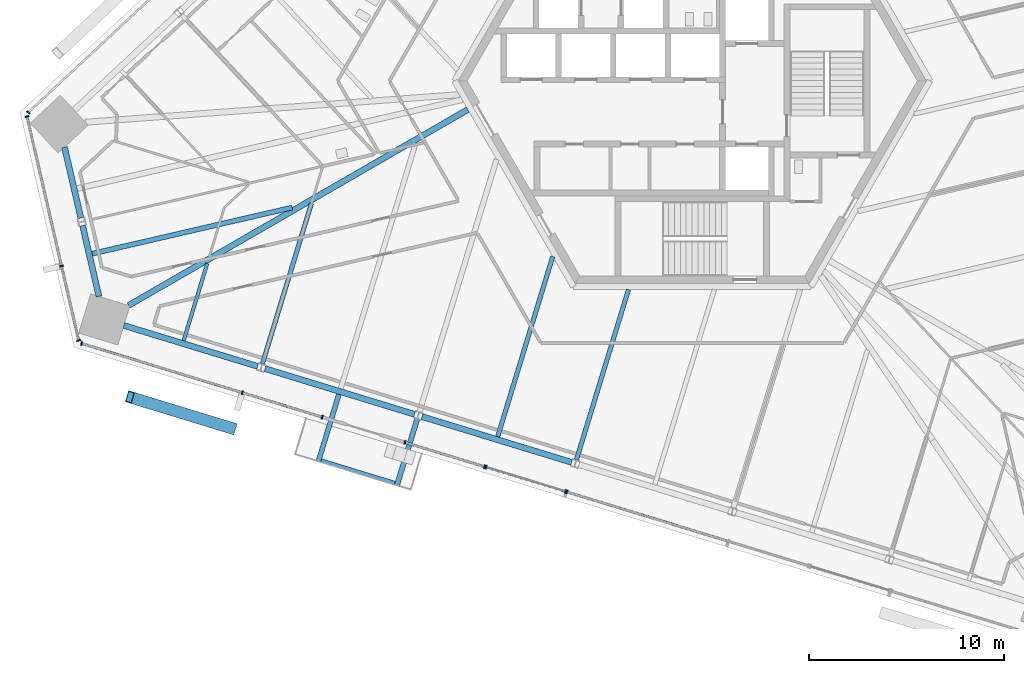
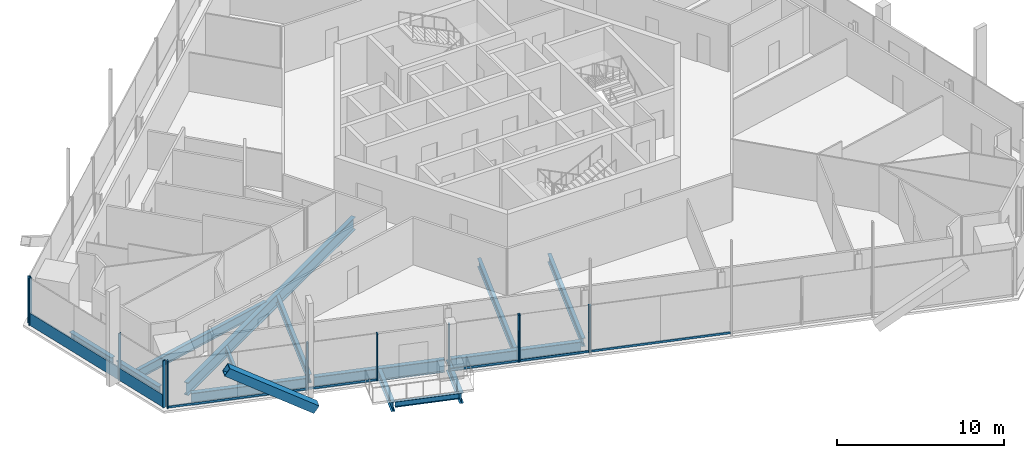
# One storey, part 4 of 24: 20 members, 14 beams, 6 elements without a shape of their own.
"""IFC4 building model written with IfcOpenShell, lengths in metres."""

from ifc_helpers import new_model, si_unit, direction, frame, origin, origin_2d, place, context, subcontext, project, spatial, rectangle, hollow_rectangle, i_section, extrude, source, transform, mapped, material, material_profile, profile_set, type_object, element, aggregate, save


model = new_model("IFC4")

# Units and contexts
model_context = context("Model", 3, precision=1e-05, world=origin(), true_north=direction((0.0, 1.0)))
body_context = subcontext(model_context, "Body", "Model", "MODEL_VIEW")
ifc_project = project(units=[si_unit("LENGTHUNIT", "METRE"), si_unit("AREAUNIT", "SQUARE_METRE"), si_unit("VOLUMEUNIT", "CUBIC_METRE"), si_unit("PLANEANGLEUNIT", "RADIAN"), si_unit("MASSUNIT", "GRAM", prefix="KILO")], contexts=[model_context])

# Site, building, storey
site_placement = place(None, origin())
site = spatial("IfcSite", under=ifc_project, at=site_placement, CompositionType="ELEMENT")
building_placement = place(site_placement, origin())
building = spatial("IfcBuilding", under=site, at=building_placement, Name="Triune Harvest Tower", CompositionType="ELEMENT")
storey_placement = place(building_placement, frame((0.0, 0.0, 127.10009765625)))
storey = spatial("IfcBuildingStorey", under=building, at=storey_placement, Name="L32", CompositionType="ELEMENT", Elevation=127.10009765625)

# Beams
ifc_material_1 = material(Name="Steel ASTM A992 Gr 50", Category="steel")
ifc_material_profile_1 = material_profile(ifc_material_1, i_section(OverallWidth=0.3046875, OverallDepth=0.914306640625, WebThickness=0.0166015625, FlangeThickness=0.02587890625, at=origin_2d()), Name="W36x160")
ifc_profile_set_1 = profile_set([ifc_material_profile_1], Name="Steel ASTM A992 Gr 50")
beam_type_1 = type_object("IfcBeamType", Name="SB-1 Spandrel beam W36x160", PredefinedType="SPANDREL", material=ifc_profile_set_1)
shared_shape_1 = source(origin(), body_context, "Body", "SweptSolid", [
    extrude(i_section(OverallWidth=0.3046875, OverallDepth=0.914306640625, WebThickness=0.0166015625, FlangeThickness=0.02587890625, at=origin_2d()), origin(), (0.0, 0.0, 1.0), 8.018310546875),
])
beam_1_placement = place(storey_placement, frame((-21.8994140625, -14.747314453125, -0.6171875), z_axis=(0.956308069579, -0.292360866152, 0.0), x_axis=(0.292360866152, 0.956308069579, 0.0)))
element("IfcBeam", 1, at=beam_1_placement, inside=storey, type_object=beam_type_1, Name="beam/L32/SB18", PredefinedType="SPANDREL", context=body_context, shape_type="MappedRepresentation", body=[
    mapped(shared_shape_1, transform((0.0, 0.0, 0.0), scale=1.0)),
])
shared_shape_2 = source(origin(), body_context, "Body", "SweptSolid", [
    extrude(i_section(OverallWidth=0.3046875, OverallDepth=0.914306640625, WebThickness=0.0166015625, FlangeThickness=0.02587890625, at=origin_2d()), origin(), (0.0, 0.0, 1.0), 8.01806640625),
])
beam_2_placement = place(storey_placement, frame((-13.8525390625, -17.207275390625, -0.6171875), z_axis=(0.956305466934, -0.292369379231, 0.0), x_axis=(0.292369379231, 0.956305466934, 0.0)))
element("IfcBeam", 2, at=beam_2_placement, inside=storey, type_object=beam_type_1, Name="beam/L32/SB19", PredefinedType="SPANDREL", context=body_context, shape_type="MappedRepresentation", body=[
    mapped(shared_shape_2, transform((0.0, 0.0, 0.0), scale=1.0)),
])
shared_shape_3 = source(origin(), body_context, "Body", "SweptSolid", [
    extrude(i_section(OverallWidth=0.3046875, OverallDepth=0.914306640625, WebThickness=0.0166015625, FlangeThickness=0.02587890625, at=origin_2d()), origin(), (0.0, 0.0, 1.0), 7.16650390625),
])
beam_3_placement = place(storey_placement, frame((-29.131591796875, -12.5361328125, -0.6171875), z_axis=(0.956306336732, -0.292366534211, 0.0), x_axis=(0.292366534211, 0.956306336732, 0.0)))
element("IfcBeam", 3, at=beam_3_placement, inside=storey, type_object=beam_type_1, Name="beam/L32/SB17", PredefinedType="SPANDREL", context=body_context, shape_type="MappedRepresentation", body=[
    mapped(shared_shape_3, transform((0.0, 0.0, 0.0), scale=1.0)),
])
shared_shape_4 = source(origin(), body_context, "Body", "SweptSolid", [
    extrude(i_section(OverallWidth=0.3046875, OverallDepth=0.914306640625, WebThickness=0.0166015625, FlangeThickness=0.02587890625, at=origin_2d()), origin(), (0.0, 0.0, 1.0), 3.72607421875),
])
for number, where, z_axis, x_axis, name in (
    (4, (-32.173828125, -3.400390625, -0.6171875), (0.224936070713, -0.974373523908, 0.0), (0.974373523908, 0.224936070713, 0.0), "beam/L32/SB15"),
    (5, (-31.24658203125, -7.4169921875, -0.6171875), (0.224998275907, -0.974359161623, 0.0), (0.974359161623, 0.224998275907, 0.0), "beam/L32/SB16"),
):
    element("IfcBeam", number, at=place(storey_placement, frame(where, z_axis=z_axis, x_axis=x_axis)), inside=storey, type_object=beam_type_1, Name=name, PredefinedType="SPANDREL", context=body_context, shape_type="MappedRepresentation", body=[
        mapped(shared_shape_4, transform((0.0, 0.0, 0.0), scale=1.0)),
    ])
ifc_material_2 = material(Name="Steel ASTM A992 Gr 50", Category="steel")
ifc_material_profile_2 = material_profile(ifc_material_2, i_section(OverallWidth=0.307373046875, OverallDepth=0.922119140625, WebThickness=0.018310546875, FlangeThickness=0.030029296875, at=origin_2d()), Name="W36x182")
ifc_profile_set_2 = profile_set([ifc_material_profile_2], Name="Steel ASTM A992 Gr 50")
beam_type_2 = type_object("IfcBeamType", Name="HG-2 Hip girder W36x182", PredefinedType="BEAM", material=ifc_profile_set_2)
shared_shape_5 = source(origin(), body_context, "Body", "SweptSolid", [
    extrude(i_section(OverallWidth=0.307373046875, OverallDepth=0.922119140625, WebThickness=0.018310546875, FlangeThickness=0.030029296875, at=origin_2d()), origin(), (0.0, 0.0, 1.0), 20.080078125),
])
beam_4_placement = place(storey_placement, frame((-28.892333984375, -11.51123046875, -0.62109375), z_axis=(0.866025837197, 0.499999249307, 0.0), x_axis=(-0.499999249307, 0.866025837197, 0.0)))
element("IfcBeam", 6, at=beam_4_placement, inside=storey, type_object=beam_type_2, Name="beam/L32/HG6", PredefinedType="BEAM", context=body_context, shape_type="MappedRepresentation", body=[
    mapped(shared_shape_5, transform((0.0, 0.0, 0.0), scale=1.0)),
])
ifc_material_3 = material(Name="Steel ASTM A992 Gr 50", Category="steel")
ifc_material_profile_3 = material_profile(ifc_material_3, i_section(OverallWidth=0.22900390625, OverallDepth=0.612060546875, WebThickness=0.011962890625, FlangeThickness=0.01953125, at=origin_2d()), Name="W24x84")
ifc_profile_set_3 = profile_set([ifc_material_profile_3], Name="Steel ASTM A992 Gr 50")
beam_type_3 = type_object("IfcBeamType", Name="JT-3 Floor joist W24x84", PredefinedType="JOIST", material=ifc_profile_set_3)
shared_shape_6 = source(origin(), body_context, "Body", "SweptSolid", [
    extrude(i_section(OverallWidth=0.22900390625, OverallDepth=0.612060546875, WebThickness=0.011962890625, FlangeThickness=0.01953125, at=origin_2d()), origin(), (0.0, 0.0, 1.0), 9.129150390625),
])
beam_5_placement = place(storey_placement, frame((-5.939453125, -19.42724609375, -0.46630859375), z_axis=(0.292356457167, 0.956309417476, 0.0), x_axis=(-0.956309417476, 0.292356457167, 0.0)))
element("IfcBeam", 7, at=beam_5_placement, inside=storey, type_object=beam_type_3, Name="beam/L32/JT32", PredefinedType="JOIST", context=body_context, shape_type="MappedRepresentation", body=[
    mapped(shared_shape_6, transform((0.0, 0.0, 0.0), scale=1.0)),
])
ifc_material_4 = material(Name="Steel ASTM A992 Gr 50", Category="steel")
ifc_material_profile_4 = material_profile(ifc_material_4, i_section(OverallWidth=0.180908203125, OverallDepth=0.41650390625, WebThickness=0.010986328125, FlangeThickness=0.01806640625, at=origin_2d()), Name="W16x57")
ifc_profile_set_4 = profile_set([ifc_material_profile_4], Name="Steel ASTM A992 Gr 50")
beam_type_4 = type_object("IfcBeamType", Name="JT-1 Floor joist W16x57", PredefinedType="JOIST", material=ifc_profile_set_4)
shared_shape_7 = source(origin(), body_context, "Body", "SweptSolid", [
    extrude(i_section(OverallWidth=0.180908203125, OverallDepth=0.41650390625, WebThickness=0.010986328125, FlangeThickness=0.01806640625, at=origin_2d()), origin(), (0.0, 0.0, 1.0), 4.134033203125),
])
beam_6_placement = place(storey_placement, frame((-26.067626953125, -13.3134765625, -0.368408203125), z_axis=(0.29238807321, 0.956299751461, 0.0), x_axis=(-0.956299751461, 0.29238807321, 0.0)))
element("IfcBeam", 8, at=beam_6_placement, inside=storey, type_object=beam_type_4, Name="beam/L32/JT27", PredefinedType="JOIST", context=body_context, shape_type="MappedRepresentation", body=[
    mapped(shared_shape_7, transform((0.0, 0.0, 0.0), scale=1.0)),
])
shared_shape_8 = source(origin(), body_context, "Body", "SweptSolid", [
    extrude(i_section(OverallWidth=0.22900390625, OverallDepth=0.612060546875, WebThickness=0.011962890625, FlangeThickness=0.01953125, at=origin_2d()), origin(), (0.0, 0.0, 1.0), 8.607666015625),
])
beam_7_placement = place(storey_placement, frame((-22.033203125, -14.507080078125, -0.46630859375), z_axis=(0.29237129862, 0.956304880121, 0.0), x_axis=(-0.956304880121, 0.29237129862, 0.0)))
element("IfcBeam", 9, at=beam_7_placement, inside=storey, type_object=beam_type_3, Name="beam/L32/JT28", PredefinedType="JOIST", context=body_context, shape_type="MappedRepresentation", body=[
    mapped(shared_shape_8, transform((0.0, 0.0, 0.0), scale=1.0)),
])
shared_shape_9 = source(origin(), body_context, "Body", "SweptSolid", [
    extrude(i_section(OverallWidth=0.22900390625, OverallDepth=0.612060546875, WebThickness=0.011962890625, FlangeThickness=0.01953125, at=origin_2d()), origin(), (0.0, 0.0, 1.0), 9.64990234375),
])
beam_8_placement = place(storey_placement, frame((-9.97412109375, -18.233642578125, -0.46630859375), z_axis=(0.292387575984, 0.956299903488, 0.0), x_axis=(-0.956299903488, 0.292387575984, 0.0)))
element("IfcBeam", 10, at=beam_8_placement, inside=storey, type_object=beam_type_3, Name="beam/L32/JT31", PredefinedType="JOIST", context=body_context, shape_type="MappedRepresentation", body=[
    mapped(shared_shape_9, transform((0.0, 0.0, 0.0), scale=1.0)),
])
ifc_material_5 = material(Name="Steel ASTM A992 Gr 50", Category="steel")
ifc_material_profile_5 = material_profile(ifc_material_5, i_section(OverallWidth=0.253662109375, OverallDepth=0.683349609375, WebThickness=0.012451171875, FlangeThickness=0.01904296875, at=origin_2d()), Name="W27x94")
ifc_profile_set_5 = profile_set([ifc_material_profile_5], Name="Steel ASTM A992 Gr 50")
beam_type_5 = type_object("IfcBeamType", Name="JT-4 Floor joist W27x94", PredefinedType="JOIST", material=ifc_profile_set_5)
shared_shape_10 = source(origin(), body_context, "Body", "SweptSolid", [
    extrude(i_section(OverallWidth=0.253662109375, OverallDepth=0.683349609375, WebThickness=0.012451171875, FlangeThickness=0.01904296875, at=origin_2d()), origin(), (0.0, 0.0, 1.0), 10.52294921875),
])
beam_9_placement = place(storey_placement, frame((-30.75732421875, -8.858154296875, -0.501708984375), z_axis=(0.974368902387, 0.224956089186, 0.0), x_axis=(-0.224956089186, 0.974368902387, 0.0)))
element("IfcBeam", 11, at=beam_9_placement, inside=storey, type_object=beam_type_5, Name="beam/L32/JT26", PredefinedType="JOIST", context=body_context, shape_type="MappedRepresentation", body=[
    mapped(shared_shape_10, transform((0.0, 0.0, 0.0), scale=1.0)),
])

# Member
ifc_material_6 = material(Name="Steel ASTM A572 Gr 50", Category="steel")
ifc_material_profile_6 = material_profile(ifc_material_6, hollow_rectangle(XDim=0.60009765625, YDim=0.60009765625, WallThickness=0.0400390625, at=origin_2d()), Name="Box 600x600x40")
ifc_profile_set_6 = profile_set([ifc_material_profile_6], Name="Steel ASTM A572 Gr 50")
member_type_1 = type_object("IfcMemberType", Name="BR-2 Brace Box 600x600x40", PredefinedType="BRACE", material=ifc_profile_set_6)
shared_shape_11 = source(origin(), body_context, "Body", "SweptSolid", [
    extrude(hollow_rectangle(XDim=0.60009765625, YDim=0.60009765625, WallThickness=0.0400390625, at=origin_2d()), origin(), (0.0, 0.0, 1.0), 6.56640625),
])
member_1_placement = place(storey_placement, frame((-23.5693359375, -17.8115234375, 0.0), z_axis=(-0.799784211376, 0.244534459496, 0.548222685916), x_axis=(-0.292389077488, -0.956299444403, 0.0)))
element("IfcMember", 12, at=member_1_placement, inside=storey, type_object=member_type_1, Name="brace/B3-F5/d2/9", PredefinedType="BRACE", context=body_context, shape_type="MappedRepresentation", body=[
    mapped(shared_shape_11, transform((0.0, 0.0, 0.0), scale=1.0)),
])

# Curtain wall, member
ifc_material_7 = material(Name="Aluminium bronze anodised", Category="aluminium")
curtain_wall_type_1 = type_object("IfcCurtainWallType", Name="CW-7 Tower stick curtain wall with insulated spandrel infill", PredefinedType="NOTDEFINED", material=ifc_material_7)
curtain_wall_1_placement = place(storey_placement, origin())
curtain_wall_1 = element("IfcCurtainWall", 13, at=curtain_wall_1_placement, inside=storey, type_object=curtain_wall_type_1, Name="CW-7 B3-F3 L32 run 4001")
ifc_material_8 = material(Name="Aluminium bronze anodised", Category="aluminium")
ifc_material_profile_7 = material_profile(ifc_material_8, rectangle(XDim=0.199951171875, YDim=0.074951171875, at=origin_2d()), Name="MU-1 mullion 75 x 200")
ifc_profile_set_7 = profile_set([ifc_material_profile_7], Name="Aluminium bronze anodised")
member_type_2 = type_object("IfcMemberType", Name="MU-1 mullion 75 x 200", PredefinedType="MULLION", material=ifc_profile_set_7)
shared_shape_12 = source(origin(), body_context, "Body", "SweptSolid", [
    extrude(rectangle(XDim=0.199951171875, YDim=0.074951171875, at=origin_2d()), origin(), (0.0, 0.0, 1.0), 3.43994140625),
])
member_2_placement = place(storey_placement, frame((-34.0302734375, -1.619384765625, 0.0), z_axis=(0.0, 0.0, 1.0), x_axis=(0.681997510149, -0.731354494176, 0.0)))
member_2 = element("IfcMember", 14, at=member_2_placement, type_object=member_type_2, Name="CW-7 mullion B3-F3 4001.3", PredefinedType="MULLION", context=body_context, shape_type="MappedRepresentation", body=[
    mapped(shared_shape_12, transform((0.0, 0.0, 0.0), scale=1.0)),
])
aggregate(curtain_wall_1, [member_2])

# Curtain wall, members
curtain_wall_2_placement = place(storey_placement, origin())
curtain_wall_2 = element("IfcCurtainWall", 15, at=curtain_wall_2_placement, inside=storey, type_object=curtain_wall_type_1, Name="CW-7 B3-F4 L32 run 1")
member_3_placement = place(storey_placement, frame((-34.0947265625, -1.83056640625, 0.0), z_axis=(0.0, 0.0, 1.0), x_axis=(0.974371012181, 0.224946950683, 0.0)))
member_3 = element("IfcMember", 16, at=member_3_placement, type_object=member_type_2, Name="CW-7 mullion B3-F4 1.1", PredefinedType="MULLION", context=body_context, shape_type="MappedRepresentation", body=[
    mapped(shared_shape_12, transform((0.0, 0.0, 0.0), scale=1.0)),
])
member_4_placement = place(storey_placement, frame((-32.32666015625, -9.489501953125, 0.0), z_axis=(0.0, 0.0, 1.0), x_axis=(0.974371012181, 0.224946950683, 0.0)))
member_4 = element("IfcMember", 17, at=member_4_placement, type_object=member_type_2, Name="CW-7 mullion B3-F4 1.3", PredefinedType="MULLION", context=body_context, shape_type="MappedRepresentation", body=[
    mapped(shared_shape_12, transform((0.0, 0.0, 0.0), scale=1.0)),
])
member_5_placement = place(storey_placement, frame((-31.44677734375, -13.30078125, 0.0), z_axis=(0.0, 0.0, 1.0), x_axis=(0.974371012181, 0.224946950683, 0.0)))
member_5 = element("IfcMember", 18, at=member_5_placement, type_object=member_type_2, Name="CW-7 mullion B3-F4 1.4", PredefinedType="MULLION", context=body_context, shape_type="MappedRepresentation", body=[
    mapped(shared_shape_12, transform((0.0, 0.0, 0.0), scale=1.0)),
])

ifc_material_9 = material(Name="Aluminium bronze anodised", Category="aluminium")
curtain_wall_type_2 = type_object("IfcCurtainWallType", Name="CW-10 Balcony window wall with insulated spandrel infill", PredefinedType="NOTDEFINED", material=ifc_material_9)
curtain_wall_3_placement = place(storey_placement, origin())
curtain_wall_3 = element("IfcCurtainWall", 19, at=curtain_wall_3_placement, inside=storey, type_object=curtain_wall_type_2, Name="CW-10 B3-F5 L32 run 1")
ifc_material_10 = material(Name="Aluminium bronze anodised", Category="aluminium")
ifc_material_profile_8 = material_profile(ifc_material_10, rectangle(XDim=0.199951171875, YDim=0.074951171875, at=origin_2d()), Name="MU-6 mullion 75 x 200")
ifc_profile_set_8 = profile_set([ifc_material_profile_8], Name="Aluminium bronze anodised")
member_type_3 = type_object("IfcMemberType", Name="MU-6 mullion 75 x 200", PredefinedType="MULLION", material=ifc_profile_set_8)
shared_shape_13 = source(origin(), body_context, "Body", "SweptSolid", [
    extrude(rectangle(XDim=0.199951171875, YDim=0.074951171875, at=origin_2d()), origin(), (0.0, 0.0, 1.0), 3.43994140625),
])
member_6_placement = place(storey_placement, frame((-31.296142578125, -13.462158203125, 0.0), z_axis=(0.0, 0.0, 1.0), x_axis=(0.292373426164, 0.956304229664, 0.0)))
member_6 = element("IfcMember", 20, at=member_6_placement, type_object=member_type_3, Name="CW-10 mullion B3-F5 1.1", PredefinedType="MULLION", context=body_context, shape_type="MappedRepresentation", body=[
    mapped(shared_shape_13, transform((0.0, 0.0, 0.0), scale=1.0)),
])
member_7_placement = place(storey_placement, frame((-23.063232421875, -15.9794921875, 0.0), z_axis=(0.0, 0.0, 1.0), x_axis=(0.292373426164, 0.956304229664, 0.0)))
member_7 = element("IfcMember", 21, at=member_7_placement, type_object=member_type_3, Name="CW-10 mullion B3-F5 1.3", PredefinedType="MULLION", context=body_context, shape_type="MappedRepresentation", body=[
    mapped(shared_shape_13, transform((0.0, 0.0, 0.0), scale=1.0)),
])
member_8_placement = place(storey_placement, frame((-18.964599609375, -17.232421875, 0.0), z_axis=(0.0, 0.0, 1.0), x_axis=(0.292373426164, 0.956304229664, 0.0)))
member_8 = element("IfcMember", 22, at=member_8_placement, type_object=member_type_3, Name="CW-10 mullion B3-F5 1.4", PredefinedType="MULLION", context=body_context, shape_type="MappedRepresentation", body=[
    mapped(shared_shape_13, transform((0.0, 0.0, 0.0), scale=1.0)),
])

curtain_wall_4_placement = place(storey_placement, origin())
curtain_wall_4 = element("IfcCurtainWall", 23, at=curtain_wall_4_placement, inside=storey, type_object=curtain_wall_type_2, Name="CW-10 B3-F5 L32 run 2")
member_9_placement = place(storey_placement, frame((-14.729736328125, -18.527099609375, 0.0), z_axis=(0.0, 0.0, 1.0), x_axis=(0.292386651596, 0.956300186117, 0.0)))
member_9 = element("IfcMember", 24, at=member_9_placement, type_object=member_type_3, Name="CW-10 mullion B3-F5 2.1", PredefinedType="MULLION", context=body_context, shape_type="MappedRepresentation", body=[
    mapped(shared_shape_13, transform((0.0, 0.0, 0.0), scale=1.0)),
])
member_10_placement = place(storey_placement, frame((-10.649169921875, -19.77490234375, 0.0), z_axis=(0.0, 0.0, 1.0), x_axis=(0.292386651596, 0.956300186117, 0.0)))
member_10 = element("IfcMember", 25, at=member_10_placement, type_object=member_type_3, Name="CW-10 mullion B3-F5 2.2", PredefinedType="MULLION", context=body_context, shape_type="MappedRepresentation", body=[
    mapped(shared_shape_13, transform((0.0, 0.0, 0.0), scale=1.0)),
])

ifc_material_11 = material(Name="Aluminium bronze anodised", Category="aluminium")
curtain_wall_type_3 = type_object("IfcCurtainWallType", Name="CW-6 Balcony window wall", PredefinedType="NOTDEFINED", material=ifc_material_11)
curtain_wall_5_placement = place(storey_placement, origin())
curtain_wall_5 = element("IfcCurtainWall", 26, at=curtain_wall_5_placement, inside=storey, type_object=curtain_wall_type_3, Name="CW-6 B3-F5 L32 run 1002")
member_11_placement = place(storey_placement, frame((-10.577392578125, -19.796875, 0.0), z_axis=(0.0, 0.0, 1.0), x_axis=(0.292368317667, 0.956305791483, 0.0)))
member_11 = element("IfcMember", 27, at=member_11_placement, type_object=member_type_3, Name="CW-6 mullion B3-F5 1002.1", PredefinedType="MULLION", context=body_context, shape_type="MappedRepresentation", body=[
    mapped(shared_shape_13, transform((0.0, 0.0, 0.0), scale=1.0)),
])
member_12_placement = place(storey_placement, frame((-6.49658203125, -21.04443359375, 0.0), z_axis=(0.0, 0.0, 1.0), x_axis=(0.292368317667, 0.956305791483, 0.0)))
member_12 = element("IfcMember", 28, at=member_12_placement, type_object=member_type_3, Name="CW-6 mullion B3-F5 1002.2", PredefinedType="MULLION", context=body_context, shape_type="MappedRepresentation", body=[
    mapped(shared_shape_13, transform((0.0, 0.0, 0.0), scale=1.0)),
])

# Curtain wall, member
curtain_wall_6_placement = place(storey_placement, origin())
curtain_wall_6 = element("IfcCurtainWall", 29, at=curtain_wall_6_placement, inside=storey, type_object=curtain_wall_type_2, Name="CW-10 B3-F5 L32 run 2002")
member_13_placement = place(storey_placement, frame((-6.425048828125, -21.066162109375, 0.0), z_axis=(0.0, 0.0, 1.0), x_axis=(0.292368317667, 0.956305791483, 0.0)))
member_13 = element("IfcMember", 30, at=member_13_placement, type_object=member_type_3, Name="CW-10 mullion B3-F5 2002.1", PredefinedType="MULLION", context=body_context, shape_type="MappedRepresentation", body=[
    mapped(shared_shape_13, transform((0.0, 0.0, 0.0), scale=1.0)),
])

# Beams
ifc_material_12 = material(Name="Steel ASTM A992 Gr 50", Category="steel")
ifc_material_profile_9 = material_profile(ifc_material_12, i_section(OverallWidth=0.2666015625, OverallDepth=0.7568359375, WebThickness=0.013916015625, FlangeThickness=0.019287109375, at=origin_2d()), Name="W30x108")
ifc_profile_set_9 = profile_set([ifc_material_profile_9], Name="Steel ASTM A992 Gr 50")
beam_type_6 = type_object("IfcBeamType", Name="BJ-5 Balcony cantilever joist W30x108", PredefinedType="JOIST", material=ifc_profile_set_9)
shared_shape_14 = source(origin(), body_context, "Body", "SweptSolid", [
    extrude(i_section(OverallWidth=0.2666015625, OverallDepth=0.7568359375, WebThickness=0.013916015625, FlangeThickness=0.019287109375, at=origin_2d()), origin(), (0.0, 0.0, 1.0), 3.59765625),
])
beam_10_placement = place(storey_placement, frame((-14.086669921875, -17.295166015625, -0.53857421875), z_axis=(-0.292349563537, -0.956311524923, 0.0), x_axis=(0.956311524923, -0.292349563537, 0.0)))
element("IfcBeam", 31, at=beam_10_placement, inside=storey, type_object=beam_type_6, Name="Balcony cantilever joist B3-F5 L32.4b", PredefinedType="JOIST", context=body_context, shape_type="MappedRepresentation", body=[
    mapped(shared_shape_14, transform((0.0, 0.0, 0.0), scale=1.0)),
])
ifc_material_13 = material(Name="Steel ASTM A992 Gr 50", Category="steel")
ifc_material_profile_10 = material_profile(ifc_material_13, i_section(OverallWidth=0.253662109375, OverallDepth=0.683349609375, WebThickness=0.012451171875, FlangeThickness=0.01904296875, at=origin_2d()), Name="W27x94")
ifc_profile_set_10 = profile_set([ifc_material_profile_10], Name="Steel ASTM A992 Gr 50")
beam_type_7 = type_object("IfcBeamType", Name="BJ-4 Balcony cantilever joist W27x94", PredefinedType="JOIST", material=ifc_profile_set_10)
shared_shape_15 = source(origin(), body_context, "Body", "SweptSolid", [
    extrude(i_section(OverallWidth=0.253662109375, OverallDepth=0.683349609375, WebThickness=0.012451171875, FlangeThickness=0.01904296875, at=origin_2d()), origin(), (0.0, 0.0, 1.0), 3.597412109375),
])
beam_11_placement = place(storey_placement, frame((-18.110107421875, -16.065185546875, -0.501708984375), z_axis=(-0.292368537387, -0.956305724309, 0.0), x_axis=(0.956305724309, -0.292368537387, 0.0)))
element("IfcBeam", 32, at=beam_11_placement, inside=storey, type_object=beam_type_7, Name="Balcony cantilever joist B3-F5 L32.4a", PredefinedType="JOIST", context=body_context, shape_type="MappedRepresentation", body=[
    mapped(shared_shape_15, transform((0.0, 0.0, 0.0), scale=1.0)),
])

# Member
ifc_material_14 = material(Name="Aluminium bronze anodised", Category="aluminium")
ifc_material_profile_11 = material_profile(ifc_material_14, rectangle(XDim=0.090087890625, YDim=0.89990234375, at=origin_2d()), Name="TR-1 transom 90 x 900")
ifc_profile_set_11 = profile_set([ifc_material_profile_11], Name="Aluminium bronze anodised")
member_type_4 = type_object("IfcMemberType", Name="TR-1 transom 90 x 900", PredefinedType="USERDEFINED", material=ifc_profile_set_11)
shared_shape_16 = source(origin(), body_context, "Body", "SweptSolid", [
    extrude(rectangle(XDim=0.090087890625, YDim=0.89990234375, at=origin_2d()), origin(), (0.0, 0.0, 1.0), 3.83642578125),
])
member_14_placement = place(storey_placement, frame((-32.318115234375, -9.526123046875, 0.449951171875), z_axis=(0.224901336827, -0.974381541642, 0.0), x_axis=(0.974381541642, 0.224901336827, 0.0)))
member_14 = element("IfcMember", 33, at=member_14_placement, type_object=member_type_4, Name="CW-7 transom B3-F4 1.2", ObjectType="TRANSOM", PredefinedType="USERDEFINED", context=body_context, shape_type="MappedRepresentation", body=[
    mapped(shared_shape_16, transform((0.0, 0.0, 0.0), scale=1.0)),
])

shared_shape_17 = source(origin(), body_context, "Body", "SweptSolid", [
    extrude(rectangle(XDim=0.090087890625, YDim=0.89990234375, at=origin_2d()), origin(), (0.0, 0.0, 1.0), 7.785400390625),
])
member_15_placement = place(storey_placement, frame((-34.08642578125, -1.8671875, 0.449951171875), z_axis=(0.22493508372, -0.974373751756, 0.0), x_axis=(0.974373751756, 0.22493508372, 0.0)))
member_15 = element("IfcMember", 34, at=member_15_placement, type_object=member_type_4, Name="CW-7 transom B3-F4 1.1", ObjectType="TRANSOM", PredefinedType="USERDEFINED", context=body_context, shape_type="MappedRepresentation", body=[
    mapped(shared_shape_17, transform((0.0, 0.0, 0.0), scale=1.0)),
])

aggregate(curtain_wall_2, [member_3, member_4, member_5, member_15, member_14])

ifc_material_15 = material(Name="Aluminium bronze anodised", Category="aluminium")
ifc_material_profile_12 = material_profile(ifc_material_15, rectangle(XDim=0.090087890625, YDim=0.14990234375, at=origin_2d()), Name="TR-6 transom 90 x 150")
ifc_profile_set_12 = profile_set([ifc_material_profile_12], Name="Aluminium bronze anodised")
member_type_5 = type_object("IfcMemberType", Name="TR-6 transom 90 x 150", PredefinedType="USERDEFINED", material=ifc_profile_set_12)
shared_shape_18 = source(origin(), body_context, "Body", "SweptSolid", [
    extrude(rectangle(XDim=0.090087890625, YDim=0.14990234375, at=origin_2d()), origin(), (0.0, 0.0, 1.0), 4.2109375),
])
member_16_placement = place(storey_placement, frame((-23.02734375, -15.990234375, 0.074951171875), z_axis=(0.956300247024, -0.292386452391, 0.0), x_axis=(0.292386452391, 0.956300247024, 0.0)))
member_16 = element("IfcMember", 35, at=member_16_placement, type_object=member_type_5, Name="CW-10 transom B3-F5 1.2", ObjectType="TRANSOM", PredefinedType="USERDEFINED", context=body_context, shape_type="MappedRepresentation", body=[
    mapped(shared_shape_18, transform((0.0, 0.0, 0.0), scale=1.0)),
])

# Beam
ifc_material_16 = material(Name="Steel ASTM A992 Gr 50", Category="steel")
ifc_material_profile_13 = material_profile(ifc_material_16, i_section(OverallWidth=0.180908203125, OverallDepth=0.41650390625, WebThickness=0.010986328125, FlangeThickness=0.01806640625, at=origin_2d()), Name="W16x57")
ifc_profile_set_13 = profile_set([ifc_material_profile_13], Name="Steel ASTM A992 Gr 50")
beam_type_8 = type_object("IfcBeamType", Name="BE-1 balcony edge beam W16x57", PredefinedType="BEAM", material=ifc_profile_set_13)
shared_shape_19 = source(origin(), body_context, "Body", "SweptSolid", [
    extrude(i_section(OverallWidth=0.180908203125, OverallDepth=0.41650390625, WebThickness=0.010986328125, FlangeThickness=0.01806640625, at=origin_2d()), origin(), (0.0, 0.0, 1.0), 3.947021484375),
])
beam_12_placement = place(storey_placement, frame((-19.013916015625, -19.4560546875, -0.368408203125), z_axis=(0.956297774395, -0.292394539428, 0.0), x_axis=(0.292394539428, 0.956297774395, 0.0)))
element("IfcBeam", 36, at=beam_12_placement, inside=storey, type_object=beam_type_8, Name="Balcony edge beam B3-F5 L32.4", PredefinedType="BEAM", context=body_context, shape_type="MappedRepresentation", body=[
    mapped(shared_shape_19, transform((0.0, 0.0, 0.0), scale=1.0)),
])

# Member
shared_shape_20 = source(origin(), body_context, "Body", "SweptSolid", [
    extrude(rectangle(XDim=0.090087890625, YDim=0.14990234375, at=origin_2d()), origin(), (0.0, 0.0, 1.0), 8.57177734375),
])
member_17_placement = place(storey_placement, frame((-6.38916015625, -21.0771484375, 0.074951171875), z_axis=(0.956306455028, -0.292366147274, 0.0), x_axis=(0.292366147274, 0.956306455028, 0.0)))
member_17 = element("IfcMember", 37, at=member_17_placement, type_object=member_type_5, Name="CW-10 transom B3-F5 2002.1", ObjectType="TRANSOM", PredefinedType="USERDEFINED", context=body_context, shape_type="MappedRepresentation", body=[
    mapped(shared_shape_20, transform((0.0, 0.0, 0.0), scale=1.0)),
])

aggregate(curtain_wall_6, [member_13, member_17])

shared_shape_21 = source(origin(), body_context, "Body", "SweptSolid", [
    extrude(rectangle(XDim=0.090087890625, YDim=0.14990234375, at=origin_2d()), origin(), (0.0, 0.0, 1.0), 8.534423828125),
])
member_18_placement = place(storey_placement, frame((-31.26025390625, -13.47314453125, 0.074951171875), z_axis=(0.956298924559, -0.292390777706, 0.0), x_axis=(0.292390777706, 0.956298924559, 0.0)))
member_18 = element("IfcMember", 38, at=member_18_placement, type_object=member_type_5, Name="CW-10 transom B3-F5 1.1", ObjectType="TRANSOM", PredefinedType="USERDEFINED", context=body_context, shape_type="MappedRepresentation", body=[
    mapped(shared_shape_21, transform((0.0, 0.0, 0.0), scale=1.0)),
])

aggregate(curtain_wall_3, [member_6, member_7, member_8, member_18, member_16])

shared_shape_22 = source(origin(), body_context, "Body", "SweptSolid", [
    extrude(rectangle(XDim=0.090087890625, YDim=0.14990234375, at=origin_2d()), origin(), (0.0, 0.0, 1.0), 4.192138671875),
])
member_19_placement = place(storey_placement, frame((-14.69384765625, -18.5380859375, 0.074951171875), z_axis=(0.956295043189, -0.292403471887, 0.0), x_axis=(0.292403471887, 0.956295043189, 0.0)))
member_19 = element("IfcMember", 39, at=member_19_placement, type_object=member_type_5, Name="CW-10 transom B3-F5 2.1", ObjectType="TRANSOM", PredefinedType="USERDEFINED", context=body_context, shape_type="MappedRepresentation", body=[
    mapped(shared_shape_22, transform((0.0, 0.0, 0.0), scale=1.0)),
])

aggregate(curtain_wall_4, [member_9, member_10, member_19])

member_20_placement = place(storey_placement, frame((-10.54150390625, -19.8076171875, 0.074951171875), z_axis=(0.956295043189, -0.292403471887, 0.0), x_axis=(0.292403471887, 0.956295043189, 0.0)))
member_20 = element("IfcMember", 40, at=member_20_placement, type_object=member_type_5, Name="CW-6 transom B3-F5 1002.1", ObjectType="TRANSOM", PredefinedType="USERDEFINED", context=body_context, shape_type="MappedRepresentation", body=[
    mapped(shared_shape_22, transform((0.0, 0.0, 0.0), scale=1.0)),
])

aggregate(curtain_wall_5, [member_11, member_12, member_20])

save(model, "model.ifc")
